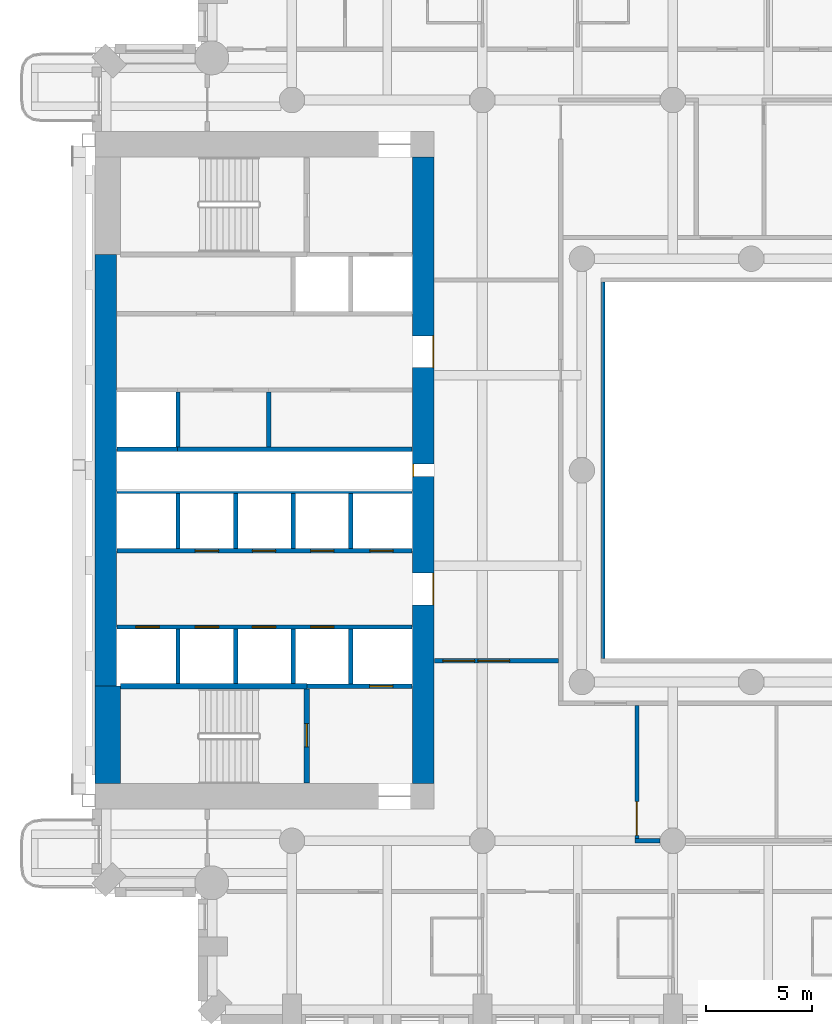
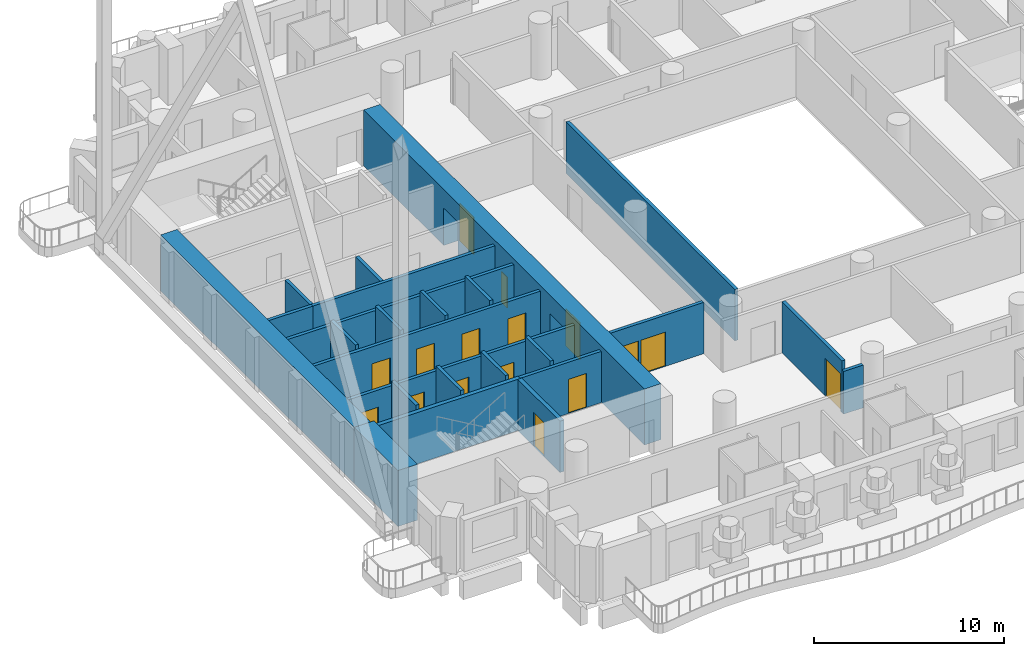
# One storey, part 6 of 24: 25 walls, 16 doors, 16 openings.
"""IFC4 building model written with IfcOpenShell, lengths in metres."""

from ifc_helpers import new_model, si_unit, direction, frame, frame_2d, origin, place, context, subcontext, project, spatial, rectangle, extrude, material, layer, layer_set, type_object, element, fill, save


model = new_model("IFC4")

# Units and contexts
model_context = context("Model", 3, precision=1e-05, world=origin(), true_north=direction((0.0, 1.0)))
body_context = subcontext(model_context, "Body", "Model", "MODEL_VIEW")
ifc_project = project(units=[si_unit("LENGTHUNIT", "METRE"), si_unit("AREAUNIT", "SQUARE_METRE"), si_unit("VOLUMEUNIT", "CUBIC_METRE"), si_unit("PLANEANGLEUNIT", "RADIAN"), si_unit("MASSUNIT", "GRAM", prefix="KILO")], contexts=[model_context])

# Site, building, storey
site_placement = place(None, origin())
site = spatial("IfcSite", under=ifc_project, at=site_placement, CompositionType="ELEMENT")
building_placement = place(site_placement, origin())
building = spatial("IfcBuilding", under=site, at=building_placement, Name="Cypress Arch Tower", CompositionType="ELEMENT")
storey_placement = place(building_placement, frame((0.0, 0.0, 102.300048828125)))
storey = spatial("IfcBuildingStorey", under=building, at=storey_placement, Name="L20", CompositionType="ELEMENT", Elevation=102.300048828125)

# Wall, openings, doors
ifc_material_1 = material(Name="Concrete C80/95", Category="concrete")
ifc_layer_1 = layer(ifc_material_1, 1.0)
ifc_layer_set_1 = layer_set([ifc_layer_1], Name="Core wall CW1000 C80/95")
wall_type_1 = type_object("IfcWallType", Name="Core wall CW1000 C80/95", PredefinedType="SHEAR", material=ifc_layer_set_1)
wall_1_placement = place(storey_placement, frame((-14.5, -14.800048828125, 0.0), z_axis=(0.0, 0.0, 1.0), x_axis=(0.0, 1.0, 0.0)))
wall_1 = element("IfcWall", 1, at=wall_1_placement, inside=storey, type_object=wall_type_1, Name="Core wall", PredefinedType="SHEAR", context=body_context, shape_type="SweptSolid", body=[
    extrude(rectangle(XDim=29.60009765625, YDim=1.0, at=frame_2d((14.800048828125, 0.0))), origin(), (0.0, 0.0, 1.0), 3.599853515625),
])
opening_1_placement = place(wall_1_placement, frame((8.449951171875, 0.0, 0.0)))
opening_1 = element("IfcOpeningElement", 2, at=opening_1_placement, cuts=wall_1, Name="Opening D07", PredefinedType="OPENING", context=body_context, shape_type="SweptSolid", body=[
    extrude(rectangle(XDim=1.5, YDim=2.39990234375, at=frame_2d((0.75, 1.199951171875))), frame((0.0, 0.510009765625, 0.0), z_axis=(0.0, -1.0, 0.0), x_axis=(1.0, 0.0, 0.0)), (0.0, 0.0, 1.0), 1.02001953125),
])
opening_2_placement = place(wall_1_placement, frame((19.64990234375, 0.0, 0.0)))
opening_2 = element("IfcOpeningElement", 3, at=opening_2_placement, cuts=wall_1, Name="Opening D07", PredefinedType="OPENING", context=body_context, shape_type="SweptSolid", body=[
    extrude(rectangle(XDim=1.5, YDim=2.39990234375, at=frame_2d((0.75, 1.199951171875))), frame((0.0, 0.510009765625, 0.0), z_axis=(0.0, -1.0, 0.0), x_axis=(1.0, 0.0, 0.0)), (0.0, 0.0, 1.0), 1.02001953125),
])
opening_3_placement = place(wall_1_placement, frame((14.5, 0.0, 0.0)))
opening_3 = element("IfcOpeningElement", 4, at=opening_3_placement, cuts=wall_1, Name="Opening D08", PredefinedType="OPENING", context=body_context, shape_type="SweptSolid", body=[
    extrude(rectangle(XDim=0.60009765625, YDim=2.0, at=frame_2d((0.300048828125, 1.0))), frame((0.0, 0.510009765625, 0.0), z_axis=(0.0, -1.0, 0.0), x_axis=(1.0, 0.0, 0.0)), (0.0, 0.0, 1.0), 1.02001953125),
])
ifc_material_2 = material(Name="Steel framed glazed door, fire resisting", Category="steel")
door_type_1 = type_object("IfcDoorType", Name="Lobby door D07 1500x2400", OperationType="DOUBLE_DOOR_SINGLE_SWING", PredefinedType="DOOR", material=ifc_material_2)
door_1_placement = place(opening_1_placement, origin())
door_1 = element("IfcDoor", 5, at=door_1_placement, inside=storey, type_object=door_type_1, Name="Lobby door", OperationType="DOUBLE_DOOR_SINGLE_SWING", OverallHeight=2.39990234375, OverallWidth=1.5, PredefinedType="DOOR", context=body_context, shape_type="SweptSolid", body=[
    extrude(rectangle(XDim=1.5, YDim=2.39990234375, at=frame_2d((0.75, 1.199951171875))), frame((0.0, -0.44482421875, 0.0), z_axis=(0.0, -1.0, 0.0), x_axis=(1.0, 0.0, 0.0)), (0.0, 0.0, 1.0), 0.050048828125),
])
fill(opening_1, door_1)
door_2_placement = place(opening_2_placement, origin())
door_2 = element("IfcDoor", 6, at=door_2_placement, inside=storey, type_object=door_type_1, Name="Lobby door", OperationType="DOUBLE_DOOR_SINGLE_SWING", OverallHeight=2.39990234375, OverallWidth=1.5, PredefinedType="DOOR", context=body_context, shape_type="SweptSolid", body=[
    extrude(rectangle(XDim=1.5, YDim=2.39990234375, at=frame_2d((0.75, 1.199951171875))), frame((0.0, -0.44482421875, 0.0), z_axis=(0.0, -1.0, 0.0), x_axis=(1.0, 0.0, 0.0)), (0.0, 0.0, 1.0), 0.050048828125),
])
fill(opening_2, door_2)
ifc_material_3 = material(Name="Steel access door, fire resisting", Category="steel")
door_type_2 = type_object("IfcDoorType", Name="Riser access door D08 600x2000", OperationType="SINGLE_SWING_LEFT", PredefinedType="DOOR", material=ifc_material_3)
door_3_placement = place(opening_3_placement, origin())
door_3 = element("IfcDoor", 7, at=door_3_placement, inside=storey, type_object=door_type_2, Name="Riser access door", OperationType="SINGLE_SWING_RIGHT", OverallHeight=2.0, OverallWidth=0.60009765625, PredefinedType="DOOR", context=body_context, shape_type="SweptSolid", body=[
    extrude(rectangle(XDim=0.60009765625, YDim=2.0, at=frame_2d((0.300048828125, 1.0))), frame((0.0, 0.4951171875, 0.0), z_axis=(0.0, -1.0, 0.0), x_axis=(1.0, 0.0, 0.0)), (0.0, 0.0, 1.0), 0.050048828125),
])
fill(opening_3, door_3)

# Walls
wall_2_placement = place(storey_placement, frame((-29.5, -10.199951171875, 0.0), z_axis=(0.0, 0.0, 1.0), x_axis=(0.0, 1.0, 0.0)))
element("IfcWall", 8, at=wall_2_placement, inside=storey, type_object=wall_type_1, Name="Core wall", PredefinedType="SHEAR", context=body_context, shape_type="SweptSolid", body=[
    extrude(rectangle(XDim=20.39990234375, YDim=1.0, at=frame_2d((10.199951171875, 0.0))), origin(), (0.0, 0.0, 1.0), 3.599853515625),
])
ifc_material_4 = material(Name="Concrete C80/95", Category="concrete")
ifc_layer_2 = layer(ifc_material_4, 1.199951171875)
ifc_layer_set_2 = layer_set([ifc_layer_2], Name="Core wall CW1200 C80/95")
wall_type_2 = type_object("IfcWallType", Name="Core wall CW1200 C80/95", PredefinedType="SHEAR", material=ifc_layer_set_2)
wall_3_placement = place(storey_placement, frame((-29.39990234375, -14.800048828125, 0.0), z_axis=(0.0, 0.0, 1.0), x_axis=(0.0, 1.0, 0.0)))
element("IfcWall", 9, at=wall_3_placement, inside=storey, type_object=wall_type_2, Name="Core wall", PredefinedType="SHEAR", context=body_context, shape_type="SweptSolid", body=[
    extrude(rectangle(XDim=4.60009765625, YDim=1.199951171875, at=frame_2d((2.300048828125, 0.0))), origin(), (0.0, 0.0, 1.0), 3.599853515625),
])

# Wall, openings, doors
ifc_material_5 = material(Name="Concrete blockwork, plastered, rated", Category="masonry")
ifc_layer_3 = layer(ifc_material_5, 0.199951171875)
ifc_layer_set_3 = layer_set([ifc_layer_3], Name="Corridor wall FW200")
wall_type_3 = type_object("IfcWallType", Name="Corridor wall FW200", PredefinedType="PARTITIONING", material=ifc_layer_set_3)
wall_4_placement = place(storey_placement, frame((-13.969970703125, -9.0, 0.0), z_axis=(0.0, 0.0, 1.0), x_axis=(1.0, 0.0, 0.0)))
wall_4 = element("IfcWall", 10, at=wall_4_placement, inside=storey, type_object=wall_type_3, Name="Corridor wall", PredefinedType="PARTITIONING", context=body_context, shape_type="SweptSolid", body=[
    extrude(rectangle(XDim=5.869873046875, YDim=0.199951171875, at=frame_2d((2.93505859375, 0.0))), origin(), (0.0, 0.0, 1.0), 3.300048828125),
])
opening_4_placement = place(wall_4_placement, frame((0.39990234375, 0.0, 0.0)))
opening_4 = element("IfcOpeningElement", 11, at=opening_4_placement, cuts=wall_4, Name="Opening D04", PredefinedType="OPENING", context=body_context, shape_type="SweptSolid", body=[
    extrude(rectangle(XDim=1.5, YDim=2.199951171875, at=frame_2d((0.75, 1.10009765625))), frame((0.0, 0.10986328125, 0.0), z_axis=(0.0, -1.0, 0.0), x_axis=(1.0, 0.0, 0.0)), (0.0, 0.0, 1.0), 0.219970703125),
])
opening_5_placement = place(wall_4_placement, frame((2.050048828125, 0.0, 0.0)))
opening_5 = element("IfcOpeningElement", 12, at=opening_5_placement, cuts=wall_4, Name="Opening D04", PredefinedType="OPENING", context=body_context, shape_type="SweptSolid", body=[
    extrude(rectangle(XDim=1.5, YDim=2.199951171875, at=frame_2d((0.75, 1.10009765625))), frame((0.0, 0.10986328125, 0.0), z_axis=(0.0, -1.0, 0.0), x_axis=(1.0, 0.0, 0.0)), (0.0, 0.0, 1.0), 0.219970703125),
])
ifc_material_6 = material(Name="Timber double door", Category="wood")
door_type_3 = type_object("IfcDoorType", Name="Double door D04 1500x2200", OperationType="DOUBLE_DOOR_SINGLE_SWING", PredefinedType="DOOR", material=ifc_material_6)
door_4_placement = place(opening_4_placement, origin())
door_4 = element("IfcDoor", 13, at=door_4_placement, inside=storey, type_object=door_type_3, Name="Double door", OperationType="DOUBLE_DOOR_SINGLE_SWING", OverallHeight=2.199951171875, OverallWidth=1.5, PredefinedType="DOOR", context=body_context, shape_type="SweptSolid", body=[
    extrude(rectangle(XDim=1.5, YDim=2.199951171875, at=frame_2d((0.75, 1.10009765625))), frame((0.0, 0.02490234375, 0.0), z_axis=(0.0, -1.0, 0.0), x_axis=(1.0, 0.0, 0.0)), (0.0, 0.0, 1.0), 0.050048828125),
])
fill(opening_4, door_4)
door_5_placement = place(opening_5_placement, origin())
door_5 = element("IfcDoor", 14, at=door_5_placement, inside=storey, type_object=door_type_3, Name="Double door", OperationType="DOUBLE_DOOR_SINGLE_SWING", OverallHeight=2.199951171875, OverallWidth=1.5, PredefinedType="DOOR", context=body_context, shape_type="SweptSolid", body=[
    extrude(rectangle(XDim=1.5, YDim=2.199951171875, at=frame_2d((0.75, 1.10009765625))), frame((0.0, 0.02490234375, 0.0), z_axis=(0.0, -1.0, 0.0), x_axis=(1.0, 0.0, 0.0)), (0.0, 0.0, 1.0), 0.050048828125),
])
fill(opening_5, door_5)

# Wall
wall_5_placement = place(storey_placement, frame((-6.0, -8.89990234375, 0.0), z_axis=(0.0, 0.0, 1.0), x_axis=(0.0, 1.0, 0.0)))
element("IfcWall", 15, at=wall_5_placement, inside=storey, type_object=wall_type_3, Name="Corridor wall", PredefinedType="PARTITIONING", context=body_context, shape_type="SweptSolid", body=[
    extrude(rectangle(XDim=17.7998046875, YDim=0.199951171875, at=frame_2d((8.89990234375, 0.0))), origin(), (0.0, 0.0, 1.0), 3.300048828125),
])

# Wall, opening, door
wall_6_placement = place(storey_placement, frame((-4.39990234375, -17.39990234375, 0.0), z_axis=(0.0, 0.0, 1.0), x_axis=(0.0, 1.0, 0.0)))
wall_6 = element("IfcWall", 16, at=wall_6_placement, inside=storey, type_object=wall_type_3, Name="Corridor wall", PredefinedType="PARTITIONING", context=body_context, shape_type="SweptSolid", body=[
    extrude(rectangle(XDim=6.2998046875, YDim=0.199951171875, at=frame_2d((3.14990234375, 0.0))), origin(), (0.0, 0.0, 1.0), 3.300048828125),
])
opening_6_placement = place(wall_6_placement, frame((0.14990234375, 0.0, 0.0)))
opening_6 = element("IfcOpeningElement", 17, at=opening_6_placement, cuts=wall_6, Name="Opening D10", PredefinedType="OPENING", context=body_context, shape_type="SweptSolid", body=[
    extrude(rectangle(XDim=1.60009765625, YDim=2.39990234375, at=frame_2d((0.800048828125, 1.199951171875))), frame((0.0, 0.10986328125, 0.0), z_axis=(0.0, -1.0, 0.0), x_axis=(1.0, 0.0, 0.0)), (0.0, 0.0, 1.0), 0.219970703125),
])
ifc_material_7 = material(Name="Black aluminium glazed door", Category="aluminium")
door_type_4 = type_object("IfcDoorType", Name="Amenity door D10 1600x2400", OperationType="DOUBLE_DOOR_SINGLE_SWING", PredefinedType="DOOR", material=ifc_material_7)
door_6_placement = place(opening_6_placement, origin())
door_6 = element("IfcDoor", 18, at=door_6_placement, inside=storey, type_object=door_type_4, Name="Amenity door", OperationType="DOUBLE_DOOR_SINGLE_SWING", OverallHeight=2.39990234375, OverallWidth=1.60009765625, PredefinedType="DOOR", context=body_context, shape_type="SweptSolid", body=[
    extrude(rectangle(XDim=1.60009765625, YDim=2.39990234375, at=frame_2d((0.800048828125, 1.199951171875))), frame((0.0, 0.02490234375, 0.0), z_axis=(0.0, -1.0, 0.0), x_axis=(1.0, 0.0, 0.0)), (0.0, 0.0, 1.0), 0.050048828125),
])
fill(opening_6, door_6)

# Walls
wall_7_placement = place(storey_placement, frame((-4.5, -17.5, 0.0), z_axis=(0.0, 0.0, 1.0), x_axis=(1.0, 0.0, 0.0)))
element("IfcWall", 19, at=wall_7_placement, inside=storey, type_object=wall_type_3, Name="Corridor wall", PredefinedType="PARTITIONING", context=body_context, shape_type="SweptSolid", body=[
    extrude(rectangle(XDim=1.199951171875, YDim=0.199951171875, at=frame_2d((0.60009765625, 0.0))), origin(), (0.0, 0.0, 1.0), 2.75),
])
ifc_material_8 = material(Name="Reinforced blockwork, plastered, rated", Category="masonry")
ifc_layer_4 = layer(ifc_material_8, 0.199951171875)
ifc_layer_set_4 = layer_set([ifc_layer_4], Name="Plant and riser wall PL200")
wall_type_4 = type_object("IfcWallType", Name="Plant and riser wall PL200", PredefinedType="PARTITIONING", material=ifc_layer_set_4)
wall_8_placement = place(storey_placement, frame((-26.10009765625, 1.0, 0.0), z_axis=(0.0, 0.0, 1.0), x_axis=(1.0, 0.0, 0.0)))
element("IfcWall", 20, at=wall_8_placement, inside=storey, type_object=wall_type_4, Name="Plant and riser wall", PredefinedType="PARTITIONING", context=body_context, shape_type="SweptSolid", body=[
    extrude(rectangle(XDim=11.070068359375, YDim=0.199951171875, at=frame_2d((5.53515625, 0.0))), origin(), (0.0, 0.0, 1.0), 3.300048828125),
])
wall_9_placement = place(storey_placement, frame((-21.800048828125, 1.10009765625, 0.0), z_axis=(0.0, 0.0, 1.0), x_axis=(0.0, 1.0, 0.0)))
element("IfcWall", 21, at=wall_9_placement, inside=storey, type_object=wall_type_4, Name="Plant and riser wall", PredefinedType="PARTITIONING", context=body_context, shape_type="SweptSolid", body=[
    extrude(rectangle(XDim=2.599853515625, YDim=0.199951171875, at=frame_2d((1.2998046875, 0.0))), origin(), (0.0, 0.0, 1.0), 3.300048828125),
])

# Wall, openings, doors
ifc_material_9 = material(Name="Concrete C50/60", Category="concrete")
ifc_layer_5 = layer(ifc_material_9, 0.199951171875)
ifc_layer_set_5 = layer_set([ifc_layer_5], Name="Shaft wall SH200")
wall_type_5 = type_object("IfcWallType", Name="Shaft wall SH200", PredefinedType="SHEAR", material=ifc_layer_set_5)
wall_10_placement = place(storey_placement, frame((-28.969970703125, -7.39990234375, 0.0), z_axis=(0.0, 0.0, 1.0), x_axis=(1.0, 0.0, 0.0)))
wall_10 = element("IfcWall", 22, at=wall_10_placement, inside=storey, type_object=wall_type_5, Name="Shaft wall", PredefinedType="SHEAR", context=body_context, shape_type="SweptSolid", body=[
    extrude(rectangle(XDim=13.93994140625, YDim=0.199951171875, at=frame_2d((6.969970703125, 0.0))), origin(), (0.0, 0.0, 1.0), 3.300048828125),
])
opening_7_placement = place(wall_10_placement, frame((0.89990234375, 0.0, 0.0)))
opening_7 = element("IfcOpeningElement", 23, at=opening_7_placement, cuts=wall_10, Name="Opening LD-LR1", PredefinedType="OPENING", context=body_context, shape_type="SweptSolid", body=[
    extrude(rectangle(XDim=1.10009765625, YDim=2.199951171875, at=frame_2d((0.550048828125, 1.10009765625))), frame((0.0, 0.10986328125, 0.0), z_axis=(0.0, -1.0, 0.0), x_axis=(1.0, 0.0, 0.0)), (0.0, 0.0, 1.0), 0.219970703125),
])
opening_8_placement = place(wall_10_placement, frame((3.699951171875, 0.0, 0.0)))
opening_8 = element("IfcOpeningElement", 24, at=opening_8_placement, cuts=wall_10, Name="Opening LD-LR2", PredefinedType="OPENING", context=body_context, shape_type="SweptSolid", body=[
    extrude(rectangle(XDim=1.10009765625, YDim=2.199951171875, at=frame_2d((0.550048828125, 1.10009765625))), frame((0.0, 0.10986328125, 0.0), z_axis=(0.0, -1.0, 0.0), x_axis=(1.0, 0.0, 0.0)), (0.0, 0.0, 1.0), 0.219970703125),
])
opening_9_placement = place(wall_10_placement, frame((6.39990234375, 0.0, 0.0)))
opening_9 = element("IfcOpeningElement", 25, at=opening_9_placement, cuts=wall_10, Name="Opening LD-LR3", PredefinedType="OPENING", context=body_context, shape_type="SweptSolid", body=[
    extrude(rectangle(XDim=1.10009765625, YDim=2.199951171875, at=frame_2d((0.550048828125, 1.10009765625))), frame((0.0, 0.10986328125, 0.0), z_axis=(0.0, -1.0, 0.0), x_axis=(1.0, 0.0, 0.0)), (0.0, 0.0, 1.0), 0.219970703125),
])
opening_10_placement = place(wall_10_placement, frame((9.14990234375, 0.0, 0.0)))
opening_10 = element("IfcOpeningElement", 26, at=opening_10_placement, cuts=wall_10, Name="Opening LD-LR4", PredefinedType="OPENING", context=body_context, shape_type="SweptSolid", body=[
    extrude(rectangle(XDim=1.10009765625, YDim=2.199951171875, at=frame_2d((0.550048828125, 1.10009765625))), frame((0.0, 0.10986328125, 0.0), z_axis=(0.0, -1.0, 0.0), x_axis=(1.0, 0.0, 0.0)), (0.0, 0.0, 1.0), 0.219970703125),
])
ifc_material_10 = material(Name="Stainless steel centre-opening landing door, rated", Category="steel")
door_type_5 = type_object("IfcDoorType", Name="Lift landing door LD 1100x2200", OperationType="DOUBLE_DOOR_SLIDING", PredefinedType="DOOR", material=ifc_material_10)
door_7_placement = place(opening_7_placement, origin())
door_7 = element("IfcDoor", 27, at=door_7_placement, inside=storey, type_object=door_type_5, Name="Lift landing doors LR1", OperationType="DOUBLE_DOOR_SLIDING", OverallHeight=2.199951171875, OverallWidth=1.10009765625, PredefinedType="DOOR", context=body_context, shape_type="SweptSolid", body=[
    extrude(rectangle(XDim=1.10009765625, YDim=2.199951171875, at=frame_2d((0.550048828125, 1.10009765625))), frame((0.0, 0.02490234375, 0.0), z_axis=(0.0, -1.0, 0.0), x_axis=(1.0, 0.0, 0.0)), (0.0, 0.0, 1.0), 0.050048828125),
])
fill(opening_7, door_7)
door_8_placement = place(opening_8_placement, origin())
door_8 = element("IfcDoor", 28, at=door_8_placement, inside=storey, type_object=door_type_5, Name="Lift landing doors LR2", OperationType="DOUBLE_DOOR_SLIDING", OverallHeight=2.199951171875, OverallWidth=1.10009765625, PredefinedType="DOOR", context=body_context, shape_type="SweptSolid", body=[
    extrude(rectangle(XDim=1.10009765625, YDim=2.199951171875, at=frame_2d((0.550048828125, 1.10009765625))), frame((0.0, 0.02490234375, 0.0), z_axis=(0.0, -1.0, 0.0), x_axis=(1.0, 0.0, 0.0)), (0.0, 0.0, 1.0), 0.050048828125),
])
fill(opening_8, door_8)
door_9_placement = place(opening_9_placement, origin())
door_9 = element("IfcDoor", 29, at=door_9_placement, inside=storey, type_object=door_type_5, Name="Lift landing doors LR3", OperationType="DOUBLE_DOOR_SLIDING", OverallHeight=2.199951171875, OverallWidth=1.10009765625, PredefinedType="DOOR", context=body_context, shape_type="SweptSolid", body=[
    extrude(rectangle(XDim=1.10009765625, YDim=2.199951171875, at=frame_2d((0.550048828125, 1.10009765625))), frame((0.0, 0.02490234375, 0.0), z_axis=(0.0, -1.0, 0.0), x_axis=(1.0, 0.0, 0.0)), (0.0, 0.0, 1.0), 0.050048828125),
])
fill(opening_9, door_9)
door_10_placement = place(opening_10_placement, origin())
door_10 = element("IfcDoor", 30, at=door_10_placement, inside=storey, type_object=door_type_5, Name="Lift landing doors LR4", OperationType="DOUBLE_DOOR_SLIDING", OverallHeight=2.199951171875, OverallWidth=1.10009765625, PredefinedType="DOOR", context=body_context, shape_type="SweptSolid", body=[
    extrude(rectangle(XDim=1.10009765625, YDim=2.199951171875, at=frame_2d((0.550048828125, 1.10009765625))), frame((0.0, 0.02490234375, 0.0), z_axis=(0.0, -1.0, 0.0), x_axis=(1.0, 0.0, 0.0)), (0.0, 0.0, 1.0), 0.050048828125),
])
fill(opening_10, door_10)

wall_11_placement = place(storey_placement, frame((-28.969970703125, -3.800048828125, 0.0), z_axis=(0.0, 0.0, 1.0), x_axis=(1.0, 0.0, 0.0)))
wall_11 = element("IfcWall", 31, at=wall_11_placement, inside=storey, type_object=wall_type_5, Name="Shaft wall", PredefinedType="SHEAR", context=body_context, shape_type="SweptSolid", body=[
    extrude(rectangle(XDim=13.93994140625, YDim=0.199951171875, at=frame_2d((6.969970703125, 0.0))), origin(), (0.0, 0.0, 1.0), 3.300048828125),
])
opening_11_placement = place(wall_11_placement, frame((3.699951171875, 0.0, 0.0)))
opening_11 = element("IfcOpeningElement", 32, at=opening_11_placement, cuts=wall_11, Name="Opening LD-LR5", PredefinedType="OPENING", context=body_context, shape_type="SweptSolid", body=[
    extrude(rectangle(XDim=1.10009765625, YDim=2.199951171875, at=frame_2d((0.550048828125, 1.10009765625))), frame((0.0, 0.10986328125, 0.0), z_axis=(0.0, -1.0, 0.0), x_axis=(1.0, 0.0, 0.0)), (0.0, 0.0, 1.0), 0.219970703125),
])
opening_12_placement = place(wall_11_placement, frame((6.39990234375, 0.0, 0.0)))
opening_12 = element("IfcOpeningElement", 33, at=opening_12_placement, cuts=wall_11, Name="Opening LD-LR6", PredefinedType="OPENING", context=body_context, shape_type="SweptSolid", body=[
    extrude(rectangle(XDim=1.10009765625, YDim=2.199951171875, at=frame_2d((0.550048828125, 1.10009765625))), frame((0.0, 0.10986328125, 0.0), z_axis=(0.0, -1.0, 0.0), x_axis=(1.0, 0.0, 0.0)), (0.0, 0.0, 1.0), 0.219970703125),
])
opening_13_placement = place(wall_11_placement, frame((9.14990234375, 0.0, 0.0)))
opening_13 = element("IfcOpeningElement", 34, at=opening_13_placement, cuts=wall_11, Name="Opening LD-LR7", PredefinedType="OPENING", context=body_context, shape_type="SweptSolid", body=[
    extrude(rectangle(XDim=1.10009765625, YDim=2.199951171875, at=frame_2d((0.550048828125, 1.10009765625))), frame((0.0, 0.10986328125, 0.0), z_axis=(0.0, -1.0, 0.0), x_axis=(1.0, 0.0, 0.0)), (0.0, 0.0, 1.0), 0.219970703125),
])
opening_14_placement = place(wall_11_placement, frame((11.949951171875, 0.0, 0.0)))
opening_14 = element("IfcOpeningElement", 35, at=opening_14_placement, cuts=wall_11, Name="Opening LD-LR8", PredefinedType="OPENING", context=body_context, shape_type="SweptSolid", body=[
    extrude(rectangle(XDim=1.10009765625, YDim=2.199951171875, at=frame_2d((0.550048828125, 1.10009765625))), frame((0.0, 0.10986328125, 0.0), z_axis=(0.0, -1.0, 0.0), x_axis=(1.0, 0.0, 0.0)), (0.0, 0.0, 1.0), 0.219970703125),
])
door_11_placement = place(opening_11_placement, origin())
door_11 = element("IfcDoor", 36, at=door_11_placement, inside=storey, type_object=door_type_5, Name="Lift landing doors LR5", OperationType="DOUBLE_DOOR_SLIDING", OverallHeight=2.199951171875, OverallWidth=1.10009765625, PredefinedType="DOOR", context=body_context, shape_type="SweptSolid", body=[
    extrude(rectangle(XDim=1.10009765625, YDim=2.199951171875, at=frame_2d((0.550048828125, 1.10009765625))), frame((0.0, 0.02490234375, 0.0), z_axis=(0.0, -1.0, 0.0), x_axis=(1.0, 0.0, 0.0)), (0.0, 0.0, 1.0), 0.050048828125),
])
fill(opening_11, door_11)
door_12_placement = place(opening_12_placement, origin())
door_12 = element("IfcDoor", 37, at=door_12_placement, inside=storey, type_object=door_type_5, Name="Lift landing doors LR6", OperationType="DOUBLE_DOOR_SLIDING", OverallHeight=2.199951171875, OverallWidth=1.10009765625, PredefinedType="DOOR", context=body_context, shape_type="SweptSolid", body=[
    extrude(rectangle(XDim=1.10009765625, YDim=2.199951171875, at=frame_2d((0.550048828125, 1.10009765625))), frame((0.0, 0.02490234375, 0.0), z_axis=(0.0, -1.0, 0.0), x_axis=(1.0, 0.0, 0.0)), (0.0, 0.0, 1.0), 0.050048828125),
])
fill(opening_12, door_12)
door_13_placement = place(opening_13_placement, origin())
door_13 = element("IfcDoor", 38, at=door_13_placement, inside=storey, type_object=door_type_5, Name="Lift landing doors LR7", OperationType="DOUBLE_DOOR_SLIDING", OverallHeight=2.199951171875, OverallWidth=1.10009765625, PredefinedType="DOOR", context=body_context, shape_type="SweptSolid", body=[
    extrude(rectangle(XDim=1.10009765625, YDim=2.199951171875, at=frame_2d((0.550048828125, 1.10009765625))), frame((0.0, 0.02490234375, 0.0), z_axis=(0.0, -1.0, 0.0), x_axis=(1.0, 0.0, 0.0)), (0.0, 0.0, 1.0), 0.050048828125),
])
fill(opening_13, door_13)
door_14_placement = place(opening_14_placement, origin())
door_14 = element("IfcDoor", 39, at=door_14_placement, inside=storey, type_object=door_type_5, Name="Lift landing doors LR8", OperationType="DOUBLE_DOOR_SLIDING", OverallHeight=2.199951171875, OverallWidth=1.10009765625, PredefinedType="DOOR", context=body_context, shape_type="SweptSolid", body=[
    extrude(rectangle(XDim=1.10009765625, YDim=2.199951171875, at=frame_2d((0.550048828125, 1.10009765625))), frame((0.0, 0.02490234375, 0.0), z_axis=(0.0, -1.0, 0.0), x_axis=(1.0, 0.0, 0.0)), (0.0, 0.0, 1.0), 0.050048828125),
])
fill(opening_14, door_14)

# Walls
wall_12_placement = place(storey_placement, frame((-28.969970703125, -1.0, 0.0), z_axis=(0.0, 0.0, 1.0), x_axis=(1.0, 0.0, 0.0)))
element("IfcWall", 40, at=wall_12_placement, inside=storey, type_object=wall_type_5, Name="Shaft wall", PredefinedType="SHEAR", context=body_context, shape_type="SweptSolid", body=[
    extrude(rectangle(XDim=13.93994140625, YDim=0.199951171875, at=frame_2d((6.969970703125, 0.0))), origin(), (0.0, 0.0, 1.0), 3.300048828125),
])
wall_13_placement = place(storey_placement, frame((-28.969970703125, 1.0, 0.0), z_axis=(0.0, 0.0, 1.0), x_axis=(1.0, 0.0, 0.0)))
element("IfcWall", 41, at=wall_13_placement, inside=storey, type_object=wall_type_5, Name="Shaft wall", PredefinedType="SHEAR", context=body_context, shape_type="SweptSolid", body=[
    extrude(rectangle(XDim=2.869873046875, YDim=0.199951171875, at=frame_2d((1.43505859375, 0.0))), origin(), (0.0, 0.0, 1.0), 3.300048828125),
])
wall_14_placement = place(storey_placement, frame((-26.080078125, -10.074951171875, 0.0), z_axis=(0.0, 0.0, 1.0), x_axis=(0.0, 1.0, 0.0)))
element("IfcWall", 42, at=wall_14_placement, inside=storey, type_object=wall_type_5, Name="Shaft wall", PredefinedType="SHEAR", context=body_context, shape_type="SweptSolid", body=[
    extrude(rectangle(XDim=2.574951171875, YDim=0.199951171875, at=frame_2d((1.28759765625, 0.0))), origin(), (0.0, 0.0, 1.0), 3.599853515625),
])
wall_15_placement = place(storey_placement, frame((-26.080078125, -3.699951171875, 0.0), z_axis=(0.0, 0.0, 1.0), x_axis=(0.0, 1.0, 0.0)))
element("IfcWall", 43, at=wall_15_placement, inside=storey, type_object=wall_type_5, Name="Shaft wall", PredefinedType="SHEAR", context=body_context, shape_type="SweptSolid", body=[
    extrude(rectangle(XDim=2.599853515625, YDim=0.199951171875, at=frame_2d((1.2998046875, 0.0))), origin(), (0.0, 0.0, 1.0), 3.599853515625),
])
wall_16_placement = place(storey_placement, frame((-26.080078125, 1.10009765625, 0.0), z_axis=(0.0, 0.0, 1.0), x_axis=(0.0, 1.0, 0.0)))
element("IfcWall", 44, at=wall_16_placement, inside=storey, type_object=wall_type_5, Name="Shaft wall", PredefinedType="SHEAR", context=body_context, shape_type="SweptSolid", body=[
    extrude(rectangle(XDim=2.599853515625, YDim=0.199951171875, at=frame_2d((1.2998046875, 0.0))), origin(), (0.0, 0.0, 1.0), 3.300048828125),
])
wall_17_placement = place(storey_placement, frame((-23.360107421875, -10.074951171875, 0.0), z_axis=(0.0, 0.0, 1.0), x_axis=(0.0, 1.0, 0.0)))
element("IfcWall", 45, at=wall_17_placement, inside=storey, type_object=wall_type_5, Name="Shaft wall", PredefinedType="SHEAR", context=body_context, shape_type="SweptSolid", body=[
    extrude(rectangle(XDim=2.574951171875, YDim=0.199951171875, at=frame_2d((1.28759765625, 0.0))), origin(), (0.0, 0.0, 1.0), 3.599853515625),
])
wall_18_placement = place(storey_placement, frame((-23.360107421875, -3.699951171875, 0.0), z_axis=(0.0, 0.0, 1.0), x_axis=(0.0, 1.0, 0.0)))
element("IfcWall", 46, at=wall_18_placement, inside=storey, type_object=wall_type_5, Name="Shaft wall", PredefinedType="SHEAR", context=body_context, shape_type="SweptSolid", body=[
    extrude(rectangle(XDim=2.599853515625, YDim=0.199951171875, at=frame_2d((1.2998046875, 0.0))), origin(), (0.0, 0.0, 1.0), 3.599853515625),
])
wall_19_placement = place(storey_placement, frame((-20.639892578125, -10.074951171875, 0.0), z_axis=(0.0, 0.0, 1.0), x_axis=(0.0, 1.0, 0.0)))
element("IfcWall", 47, at=wall_19_placement, inside=storey, type_object=wall_type_5, Name="Shaft wall", PredefinedType="SHEAR", context=body_context, shape_type="SweptSolid", body=[
    extrude(rectangle(XDim=2.574951171875, YDim=0.199951171875, at=frame_2d((1.28759765625, 0.0))), origin(), (0.0, 0.0, 1.0), 3.599853515625),
])
wall_20_placement = place(storey_placement, frame((-20.639892578125, -3.699951171875, 0.0), z_axis=(0.0, 0.0, 1.0), x_axis=(0.0, 1.0, 0.0)))
element("IfcWall", 48, at=wall_20_placement, inside=storey, type_object=wall_type_5, Name="Shaft wall", PredefinedType="SHEAR", context=body_context, shape_type="SweptSolid", body=[
    extrude(rectangle(XDim=2.599853515625, YDim=0.199951171875, at=frame_2d((1.2998046875, 0.0))), origin(), (0.0, 0.0, 1.0), 3.599853515625),
])

# Wall, opening, door
wall_21_placement = place(storey_placement, frame((-19.97998046875, -10.199951171875, 0.0), z_axis=(0.0, 0.0, 1.0), x_axis=(1.0, 0.0, 0.0)))
wall_21 = element("IfcWall", 49, at=wall_21_placement, inside=storey, type_object=wall_type_5, Name="Shaft wall", PredefinedType="SHEAR", context=body_context, shape_type="SweptSolid", body=[
    extrude(rectangle(XDim=4.949951171875, YDim=0.199951171875, at=frame_2d((2.47509765625, 0.0))), origin(), (0.0, 0.0, 1.0), 3.300048828125),
])
opening_15_placement = place(wall_21_placement, frame((2.949951171875, 0.0, 0.0)))
opening_15 = element("IfcOpeningElement", 50, at=opening_15_placement, cuts=wall_21, Name="Opening LD-FL1", PredefinedType="OPENING", context=body_context, shape_type="SweptSolid", body=[
    extrude(rectangle(XDim=1.10009765625, YDim=2.199951171875, at=frame_2d((0.550048828125, 1.10009765625))), frame((0.0, 0.10986328125, 0.0), z_axis=(0.0, -1.0, 0.0), x_axis=(1.0, 0.0, 0.0)), (0.0, 0.0, 1.0), 0.219970703125),
])
door_15_placement = place(opening_15_placement, origin())
door_15 = element("IfcDoor", 51, at=door_15_placement, inside=storey, type_object=door_type_5, Name="Lift landing doors FL1", OperationType="DOUBLE_DOOR_SLIDING", OverallHeight=2.199951171875, OverallWidth=1.10009765625, PredefinedType="DOOR", context=body_context, shape_type="SweptSolid", body=[
    extrude(rectangle(XDim=1.10009765625, YDim=2.199951171875, at=frame_2d((0.550048828125, 1.10009765625))), frame((0.0, 0.02490234375, 0.0), z_axis=(0.0, -1.0, 0.0), x_axis=(1.0, 0.0, 0.0)), (0.0, 0.0, 1.0), 0.050048828125),
])
fill(opening_15, door_15)

# Walls
wall_22_placement = place(storey_placement, frame((-17.919921875, -10.10009765625, 0.0), z_axis=(0.0, 0.0, 1.0), x_axis=(0.0, 1.0, 0.0)))
element("IfcWall", 52, at=wall_22_placement, inside=storey, type_object=wall_type_5, Name="Shaft wall", PredefinedType="SHEAR", context=body_context, shape_type="SweptSolid", body=[
    extrude(rectangle(XDim=2.60009765625, YDim=0.199951171875, at=frame_2d((1.300048828125, 0.0))), origin(), (0.0, 0.0, 1.0), 3.599853515625),
])
wall_23_placement = place(storey_placement, frame((-17.919921875, -3.699951171875, 0.0), z_axis=(0.0, 0.0, 1.0), x_axis=(0.0, 1.0, 0.0)))
element("IfcWall", 53, at=wall_23_placement, inside=storey, type_object=wall_type_5, Name="Shaft wall", PredefinedType="SHEAR", context=body_context, shape_type="SweptSolid", body=[
    extrude(rectangle(XDim=2.599853515625, YDim=0.199951171875, at=frame_2d((1.2998046875, 0.0))), origin(), (0.0, 0.0, 1.0), 3.599853515625),
])
ifc_material_11 = material(Name="Concrete C50/60", Category="concrete")
ifc_layer_6 = layer(ifc_material_11, 0.25)
ifc_layer_set_6 = layer_set([ifc_layer_6], Name="Stair enclosure wall SW250")
wall_type_6 = type_object("IfcWallType", Name="Stair enclosure wall SW250", PredefinedType="SHEAR", material=ifc_layer_set_6)
wall_24_placement = place(storey_placement, frame((-28.81005859375, -10.199951171875, 0.0), z_axis=(0.0, 0.0, 1.0), x_axis=(1.0, 0.0, 0.0)))
element("IfcWall", 54, at=wall_24_placement, inside=storey, type_object=wall_type_6, Name="Stair enclosure wall", PredefinedType="SHEAR", context=body_context, shape_type="SweptSolid", body=[
    extrude(rectangle(XDim=8.830078125, YDim=0.25, at=frame_2d((4.4150390625, 0.0))), origin(), (0.0, 0.0, 1.0), 3.300048828125),
])

# Wall, opening, door
wall_25_placement = place(storey_placement, frame((-20.0, -14.77001953125, 0.0), z_axis=(0.0, 0.0, 1.0), x_axis=(0.0, 1.0, 0.0)))
wall_25 = element("IfcWall", 55, at=wall_25_placement, inside=storey, type_object=wall_type_6, Name="Stair enclosure wall", PredefinedType="SHEAR", context=body_context, shape_type="SweptSolid", body=[
    extrude(rectangle(XDim=4.445068359375, YDim=0.25, at=frame_2d((2.22265625, 0.0))), origin(), (0.0, 0.0, 1.0), 3.300048828125),
])
opening_16_placement = place(wall_25_placement, frame((1.699951171875, 0.0, 0.0)))
opening_16 = element("IfcOpeningElement", 56, at=opening_16_placement, cuts=wall_25, Name="Opening D06", PredefinedType="OPENING", context=body_context, shape_type="SweptSolid", body=[
    extrude(rectangle(XDim=1.10009765625, YDim=2.199951171875, at=frame_2d((0.550048828125, 1.10009765625))), frame((0.0, 0.135009765625, 0.0), z_axis=(0.0, -1.0, 0.0), x_axis=(1.0, 0.0, 0.0)), (0.0, 0.0, 1.0), 0.27001953125),
])
ifc_material_12 = material(Name="Steel door, fire resisting, panic bar", Category="steel")
door_type_6 = type_object("IfcDoorType", Name="Stair door D06 1100x2200", OperationType="SINGLE_SWING_LEFT", PredefinedType="DOOR", material=ifc_material_12)
door_16_placement = place(opening_16_placement, origin())
door_16 = element("IfcDoor", 57, at=door_16_placement, inside=storey, type_object=door_type_6, Name="Stair door", OperationType="SINGLE_SWING_RIGHT", OverallHeight=2.199951171875, OverallWidth=1.10009765625, PredefinedType="DOOR", context=body_context, shape_type="SweptSolid", body=[
    extrude(rectangle(XDim=1.10009765625, YDim=2.199951171875, at=frame_2d((0.550048828125, 1.10009765625))), frame((0.0, 0.02490234375, 0.0), z_axis=(0.0, -1.0, 0.0), x_axis=(1.0, 0.0, 0.0)), (0.0, 0.0, 1.0), 0.050048828125),
])
fill(opening_16, door_16)

save(model, "model.ifc")
